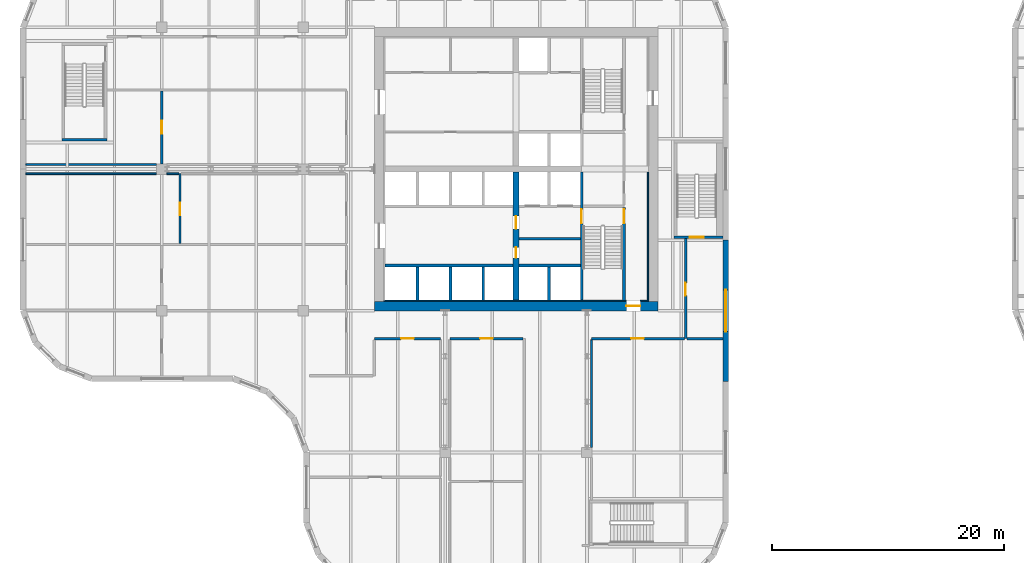
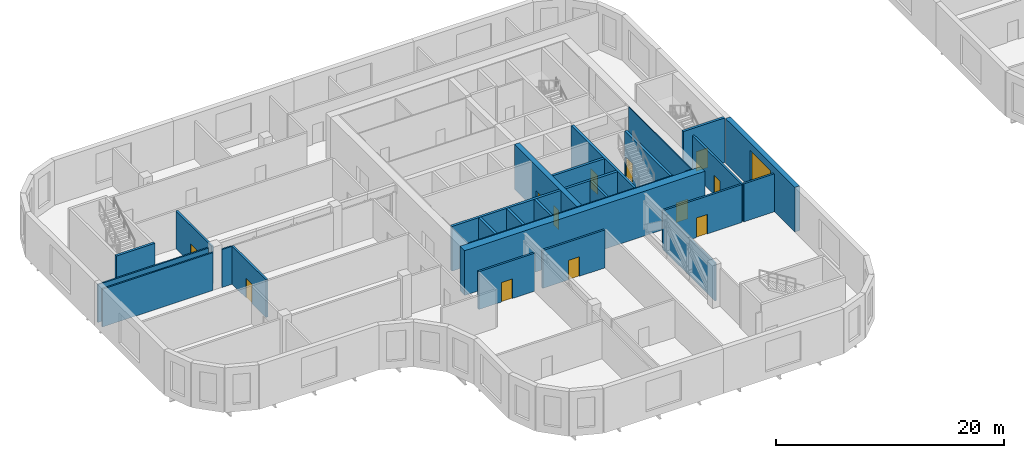
# One storey, part 10 of 21: 28 walls, 12 doors, 1 window, 13 openings.
"""IFC4 building model written with IfcOpenShell, lengths in metres."""

from ifc_helpers import new_model, si_unit, direction, frame, frame_2d, origin, place, context, subcontext, project, spatial, polyline, rectangle, outline, extrude, source, transform, mapped, material, layer, layer_set, type_object, element, fill, save


model = new_model("IFC4")

# Units and contexts
model_context = context("Model", 3, precision=1e-05, world=origin(), true_north=direction((0.0, 1.0)))
body_context = subcontext(model_context, "Body", "Model", "MODEL_VIEW")
ifc_project = project(units=[si_unit("LENGTHUNIT", "METRE"), si_unit("AREAUNIT", "SQUARE_METRE"), si_unit("VOLUMEUNIT", "CUBIC_METRE"), si_unit("PLANEANGLEUNIT", "RADIAN"), si_unit("MASSUNIT", "GRAM", prefix="KILO")], contexts=[model_context])

# Site, building, storey
site_placement = place(None, origin())
site = spatial("IfcSite", under=ifc_project, at=site_placement, CompositionType="ELEMENT")
building_placement = place(site_placement, origin())
building = spatial("IfcBuilding", under=site, at=building_placement, Name="Tessera Gate Towers", CompositionType="ELEMENT")
storey_placement = place(building_placement, frame((0.0, 0.0, 63.800048828125)))
storey = spatial("IfcBuildingStorey", under=building, at=storey_placement, Name="L15", CompositionType="ELEMENT", Elevation=63.800048828125)

# Walls
ifc_material_1 = material(Name="Gypsum board on steel studs, mineral wool", Category="steel")
ifc_layer_1 = layer(ifc_material_1, 0.14990234375)
ifc_layer_set_1 = layer_set([ifc_layer_1], Name="CHASE WALL 150")
wall_type_1 = type_object("IfcWallType", Name="CHASE WALL 150", PredefinedType="PARTITIONING", material=ifc_layer_set_1)
wall_1_placement = place(storey_placement, frame((49.199951171875, 12.65087890625, 0.0), z_axis=(0.0, 0.0, 1.0), x_axis=(0.0, 1.0, 0.0)))
element("IfcWall", 1, at=wall_1_placement, inside=storey, type_object=wall_type_1, Name="T1-L15-PW-012", PredefinedType="PARTITIONING", context=body_context, shape_type="SweptSolid", body=[
    extrude(rectangle(XDim=9.248046875, YDim=0.14990234375, at=frame_2d((4.6240234375, 0.0))), origin(), (0.0, 0.0, 1.0), 4.06689453125),
])
wall_2_placement = place(storey_placement, frame((0.5, 36.199951171875, 0.0), z_axis=(0.0, 0.0, 1.0), x_axis=(1.0, 0.0, 0.0)))
element("IfcWall", 2, at=wall_2_placement, inside=storey, type_object=wall_type_1, Name="T1-L15-PW-030", PredefinedType="PARTITIONING", context=body_context, shape_type="SweptSolid", body=[
    extrude(rectangle(XDim=11.2490234375, YDim=0.14990234375, at=frame_2d((5.62451171875, 0.0))), origin(), (0.0, 0.0, 1.0), 4.06689453125),
])
wall_3_placement = place(storey_placement, frame((12.65087890625, 36.199951171875, 0.0), z_axis=(0.0, 0.0, 1.0), x_axis=(1.0, 0.0, 0.0)))
element("IfcWall", 3, at=wall_3_placement, inside=storey, type_object=wall_type_1, Name="T1-L15-PW-031", PredefinedType="PARTITIONING", context=body_context, shape_type="SweptSolid", body=[
    extrude(rectangle(XDim=1.023193359375, YDim=0.14990234375, at=frame_2d((0.51171875, 0.0))), origin(), (0.0, 0.0, 1.0), 4.06689453125),
])
wall_4_placement = place(storey_placement, frame((0.5, 37.0, 0.0), z_axis=(0.0, 0.0, 1.0), x_axis=(1.0, 0.0, 0.0)))
element("IfcWall", 4, at=wall_4_placement, inside=storey, type_object=wall_type_1, Name="T1-L15-PW-034", PredefinedType="PARTITIONING", context=body_context, shape_type="SweptSolid", body=[
    extrude(rectangle(XDim=11.2490234375, YDim=0.14990234375, at=frame_2d((5.62451171875, 0.0))), origin(), (0.0, 0.0, 1.0), 4.06689453125),
])

# Wall, opening, door
ifc_material_2 = material(Name="Concrete C40/50", Category="concrete")
ifc_layer_2 = layer(ifc_material_2, 0.25)
ifc_layer_set_2 = layer_set([ifc_layer_2], Name="CORE ENCLOSURE WALL 250")
wall_type_2 = type_object("IfcWallType", Name="CORE ENCLOSURE WALL 250", PredefinedType="SOLIDWALL", material=ifc_layer_set_2)
wall_5_placement = place(storey_placement, frame((48.35009765625, 36.35009765625, 0.0), z_axis=(0.0, 0.0, 1.0), x_axis=(0.0, -1.0, 0.0)))
wall_5 = element("IfcWall", 5, at=wall_5_placement, inside=storey, type_object=wall_type_2, Name="L15 shaft and stair enclosure wall", PredefinedType="SOLIDWALL", context=body_context, shape_type="SweptSolid", body=[
    extrude(rectangle(XDim=11.050048828125, YDim=0.25, at=frame_2d((5.52490234375, 0.0))), origin(), (0.0, 0.0, 1.0), 4.800048828125),
])
shared_shape_1 = source(origin(), body_context, "Body", "SweptSolid", [
    extrude(rectangle(XDim=1.199951171875, YDim=2.10009765625, at=frame_2d((0.60009765625, 1.050048828125))), frame((0.0, 0.135009765625, 0.0), z_axis=(0.0, -1.0, 0.0), x_axis=(1.0, 0.0, 0.0)), (0.0, 0.0, 1.0), 0.27001953125),
])
opening_1_placement = place(wall_5_placement, frame((3.22509765625, 0.0, 0.0)))
opening_1 = element("IfcOpeningElement", 6, at=opening_1_placement, cuts=wall_5, Name="Opening SD-ST1-1", PredefinedType="OPENING", context=body_context, shape_type="MappedRepresentation", body=[
    mapped(shared_shape_1, transform((0.0, 0.0, 0.0), scale=1.0)),
])
ifc_material_3 = material(Name="Hollow steel fire door", Category="steel")
door_type_1 = type_object("IfcDoorType", Name="CORE DOOR SD 1200x2100", OperationType="NOTDEFINED", PredefinedType="DOOR", material=ifc_material_3)
shared_shape_2 = source(origin(), body_context, "Body", "SweptSolid", [
    extrude(rectangle(XDim=1.199951171875, YDim=2.10009765625, at=frame_2d((0.60009765625, 1.050048828125))), frame((0.0, 0.02490234375, 0.0), z_axis=(0.0, -1.0, 0.0), x_axis=(1.0, 0.0, 0.0)), (0.0, 0.0, 1.0), 0.050048828125),
])
door_1_placement = place(opening_1_placement, origin())
door_1 = element("IfcDoor", 7, at=door_1_placement, inside=storey, type_object=door_type_1, Name="Stair door", OperationType="SINGLE_SWING_LEFT", OverallHeight=2.10009765625, OverallWidth=1.199951171875, PredefinedType="DOOR", context=body_context, shape_type="MappedRepresentation", body=[
    mapped(shared_shape_2, transform((0.0, 0.0, 0.0), scale=1.0)),
])
fill(opening_1, door_1)

# Walls
wall_6_placement = place(storey_placement, frame((31.39990234375, 28.300048828125, 0.0), z_axis=(0.0, 0.0, 1.0), x_axis=(1.0, 0.0, 0.0)))
element("IfcWall", 8, at=wall_6_placement, inside=storey, type_object=wall_type_2, Name="L15 shaft and stair enclosure wall", PredefinedType="SOLIDWALL", context=body_context, shape_type="SweptSolid", body=[
    extrude(rectangle(XDim=11.050048828125, YDim=0.25, at=frame_2d((5.52490234375, 0.0))), origin(), (0.0, 0.0, 1.0), 4.800048828125),
])
wall_7_placement = place(storey_placement, frame((42.949951171875, 28.300048828125, 0.0), z_axis=(0.0, 0.0, 1.0), x_axis=(1.0, 0.0, 0.0)))
element("IfcWall", 9, at=wall_7_placement, inside=storey, type_object=wall_type_2, Name="L15 shaft and stair enclosure wall", PredefinedType="SOLIDWALL", context=body_context, shape_type="SweptSolid", body=[
    extrude(rectangle(XDim=5.275146484375, YDim=0.25, at=frame_2d((2.6376953125, 0.0))), origin(), (0.0, 0.0, 1.0), 4.800048828125),
])

# Wall, opening, door
wall_8_placement = place(storey_placement, frame((52.0, 25.300048828125, 0.0), z_axis=(0.0, 0.0, 1.0), x_axis=(0.0, 1.0, 0.0)))
wall_8 = element("IfcWall", 10, at=wall_8_placement, inside=storey, type_object=wall_type_2, Name="L15 shaft and stair enclosure wall", PredefinedType="SOLIDWALL", context=body_context, shape_type="SweptSolid", body=[
    extrude(rectangle(XDim=7.974853515625, YDim=0.25, at=frame_2d((3.9873046875, 0.0))), origin(), (0.0, 0.0, 1.0), 4.800048828125),
])
opening_2_placement = place(wall_8_placement, frame((6.625, 0.0, 0.0)))
opening_2 = element("IfcOpeningElement", 11, at=opening_2_placement, cuts=wall_8, Name="Opening SD-ST1-2", PredefinedType="OPENING", context=body_context, shape_type="MappedRepresentation", body=[
    mapped(shared_shape_1, transform((0.0, 0.0, 0.0), scale=1.0)),
])
door_2_placement = place(opening_2_placement, origin())
door_2 = element("IfcDoor", 12, at=door_2_placement, inside=storey, type_object=door_type_1, Name="Stair door", OperationType="SINGLE_SWING_RIGHT", OverallHeight=2.10009765625, OverallWidth=1.199951171875, PredefinedType="DOOR", context=body_context, shape_type="MappedRepresentation", body=[
    mapped(shared_shape_2, transform((0.0, 0.0, 0.0), scale=1.0)),
])
fill(opening_2, door_2)

# Walls
wall_9_placement = place(storey_placement, frame((42.949951171875, 30.60009765625, 0.0), z_axis=(0.0, 0.0, 1.0), x_axis=(1.0, 0.0, 0.0)))
element("IfcWall", 13, at=wall_9_placement, inside=storey, type_object=wall_type_2, Name="L15 shaft and stair enclosure wall", PredefinedType="SOLIDWALL", context=body_context, shape_type="SweptSolid", body=[
    extrude(rectangle(XDim=5.275146484375, YDim=0.25, at=frame_2d((2.6376953125, 0.0))), origin(), (0.0, 0.0, 1.0), 4.800048828125),
])
for number, where, z_axis, x_axis, name in (
    (14, (34.22509765625, 25.300048828125, 0.0), (0.0, 0.0, 1.0), (0.0, 1.0, 0.0), "L15 shaft and stair enclosure wall"),
    (15, (37.050048828125, 25.300048828125, 0.0), (0.0, 0.0, 1.0), (0.0, 1.0, 0.0), "L15 shaft and stair enclosure wall"),
    (16, (39.875, 25.300048828125, 0.0), (0.0, 0.0, 1.0), (0.0, 1.0, 0.0), "L15 shaft and stair enclosure wall"),
    (17, (45.52490234375, 25.300048828125, 0.0), (0.0, 0.0, 1.0), (0.0, 1.0, 0.0), "L15 shaft and stair enclosure wall"),
):
    element("IfcWall", number, at=place(storey_placement, frame(where, z_axis=z_axis, x_axis=x_axis)), inside=storey, type_object=wall_type_2, Name=name, PredefinedType="SOLIDWALL", context=body_context, shape_type="SweptSolid", body=[
        extrude(rectangle(XDim=2.875, YDim=0.25, at=frame_2d((1.4375, 0.0))), origin(), (0.0, 0.0, 1.0), 4.800048828125),
    ])
wall_10_placement = place(storey_placement, frame((7.5, 39.125, 0.0), z_axis=(0.0, 0.0, 1.0), x_axis=(-1.0, 0.0, 0.0)))
element("IfcWall", 18, at=wall_10_placement, inside=storey, type_object=wall_type_2, Name="L15 ST3 enclosure wall", PredefinedType="SOLIDWALL", context=body_context, shape_type="SweptSolid", body=[
    extrude(rectangle(XDim=3.89990234375, YDim=0.25, at=frame_2d((1.949951171875, 0.0))), origin(), (0.0, 0.0, 1.0), 4.800048828125),
])

# Wall, opening, door
wall_11_placement = place(storey_placement, frame((60.5, 30.72509765625, 0.0), z_axis=(0.0, 0.0, 1.0), x_axis=(-1.0, 0.0, 0.0)))
wall_11 = element("IfcWall", 19, at=wall_11_placement, inside=storey, type_object=wall_type_2, Name="L15 ST5 enclosure wall", PredefinedType="SOLIDWALL", context=body_context, shape_type="SweptSolid", body=[
    extrude(rectangle(XDim=4.199951171875, YDim=0.25, at=frame_2d((2.10009765625, 0.0))), origin(), (0.0, 0.0, 1.0), 4.800048828125),
])
opening_3_placement = place(wall_11_placement, frame((1.64990234375, 0.0, 0.0)))
opening_3 = element("IfcOpeningElement", 20, at=opening_3_placement, cuts=wall_11, Name="Opening SD-ST5-1", PredefinedType="OPENING", context=body_context, shape_type="MappedRepresentation", body=[
    mapped(shared_shape_1, transform((0.0, 0.0, 0.0), scale=1.0)),
])
door_3_placement = place(opening_3_placement, origin())
door_3 = element("IfcDoor", 21, at=door_3_placement, inside=storey, type_object=door_type_1, Name="Stair door", OperationType="SINGLE_SWING_RIGHT", OverallHeight=2.10009765625, OverallWidth=1.199951171875, PredefinedType="DOOR", context=body_context, shape_type="MappedRepresentation", body=[
    mapped(shared_shape_2, transform((0.0, 0.0, 0.0), scale=1.0)),
])
fill(opening_3, door_3)

ifc_material_4 = material(Name="Concrete C60/75", Category="concrete")
ifc_layer_3 = layer(ifc_material_4, 0.800048828125)
ifc_layer_set_3 = layer_set([ifc_layer_3], Name="CORE SHEAR WALL 800 C60/75")
wall_type_3 = type_object("IfcWallType", Name="CORE SHEAR WALL 800 C60/75", PredefinedType="SHEAR", material=ifc_layer_set_3)
wall_12_placement = place(storey_placement, frame((54.89990234375, 24.800048828125, 0.0), z_axis=(0.0, 0.0, 1.0), x_axis=(-1.0, 0.0, 0.0)))
wall_12 = element("IfcWall", 22, at=wall_12_placement, inside=storey, type_object=wall_type_3, Name="Core wall S L15", PredefinedType="SHEAR", context=body_context, shape_type="SweptSolid", body=[
    extrude(rectangle(XDim=24.39990234375, YDim=0.800048828125, at=frame_2d((12.199951171875, 0.0))), origin(), (0.0, 0.0, 1.0), 4.800048828125),
])
shared_shape_3 = source(origin(), body_context, "Body", "SweptSolid", [
    extrude(rectangle(XDim=1.199951171875, YDim=2.10009765625, at=frame_2d((0.60009765625, 1.050048828125))), frame((0.0, 0.409912109375, 0.0), z_axis=(0.0, -1.0, 0.0), x_axis=(1.0, 0.0, 0.0)), (0.0, 0.0, 1.0), 0.820068359375),
])
opening_4_placement = place(wall_12_placement, frame((1.5, 0.0, 0.0)))
opening_4 = element("IfcOpeningElement", 23, at=opening_4_placement, cuts=wall_12, Name="Opening ED-T1-11-01", PredefinedType="OPENING", context=body_context, shape_type="MappedRepresentation", body=[
    mapped(shared_shape_3, transform((0.0, 0.0, 0.0), scale=1.0)),
])
ifc_material_5 = material(Name="Hollow steel fire door", Category="steel")
door_type_2 = type_object("IfcDoorType", Name="CORE DOOR ED 1200x2100", OperationType="NOTDEFINED", PredefinedType="DOOR", material=ifc_material_5)
door_4_placement = place(opening_4_placement, origin())
door_4 = element("IfcDoor", 24, at=door_4_placement, inside=storey, type_object=door_type_2, Name="Core exit door", OperationType="SINGLE_SWING_LEFT", OverallHeight=2.10009765625, OverallWidth=1.199951171875, PredefinedType="DOOR", context=body_context, shape_type="MappedRepresentation", body=[
    mapped(shared_shape_2, transform((0.0, 0.0, 0.0), scale=1.0)),
])
fill(opening_4, door_4)

# Wall, openings, doors
ifc_material_6 = material(Name="Concrete C60/75", Category="concrete")
ifc_layer_4 = layer(ifc_material_6, 0.5)
ifc_layer_set_4 = layer_set([ifc_layer_4], Name="CORE SPINE WALL 500 C60/75")
wall_type_4 = type_object("IfcWallType", Name="CORE SPINE WALL 500 C60/75", PredefinedType="SHEAR", material=ifc_layer_set_4)
wall_13_placement = place(storey_placement, frame((42.699951171875, 36.35009765625, 0.0), z_axis=(0.0, 0.0, 1.0), x_axis=(0.0, -1.0, 0.0)))
wall_13 = element("IfcWall", 25, at=wall_13_placement, inside=storey, type_object=wall_type_4, Name="Core wall spine L15", PredefinedType="SHEAR", context=body_context, shape_type="SweptSolid", body=[
    extrude(rectangle(XDim=11.050048828125, YDim=0.5, at=frame_2d((5.52490234375, 0.0))), origin(), (0.0, 0.0, 1.0), 4.800048828125),
])
shared_shape_4 = source(origin(), body_context, "Body", "SweptSolid", [
    extrude(rectangle(XDim=0.89990234375, YDim=2.10009765625, at=frame_2d((0.449951171875, 1.050048828125))), frame((0.0, 0.260009765625, 0.0), z_axis=(0.0, -1.0, 0.0), x_axis=(1.0, 0.0, 0.0)), (0.0, 0.0, 1.0), 0.52001953125),
])
opening_5_placement = place(wall_13_placement, frame((6.5, 0.0, 0.0)))
opening_5 = element("IfcOpeningElement", 26, at=opening_5_placement, cuts=wall_13, Name="Opening RD-T1-11-05", PredefinedType="OPENING", context=body_context, shape_type="MappedRepresentation", body=[
    mapped(shared_shape_4, transform((0.0, 0.0, 0.0), scale=1.0)),
])
shared_shape_5 = source(origin(), body_context, "Body", "SweptSolid", [
    extrude(rectangle(XDim=1.10009765625, YDim=2.10009765625, at=frame_2d((0.550048828125, 1.050048828125))), frame((0.0, 0.260009765625, 0.0), z_axis=(0.0, -1.0, 0.0), x_axis=(1.0, 0.0, 0.0)), (0.0, 0.0, 1.0), 0.52001953125),
])
opening_6_placement = place(wall_13_placement, frame((3.800048828125, 0.0, 0.0)))
opening_6 = element("IfcOpeningElement", 27, at=opening_6_placement, cuts=wall_13, Name="Opening FD-T1-11-06", PredefinedType="OPENING", context=body_context, shape_type="MappedRepresentation", body=[
    mapped(shared_shape_5, transform((0.0, 0.0, 0.0), scale=1.0)),
])
ifc_material_7 = material(Name="Hollow steel fire door", Category="steel")
door_type_3 = type_object("IfcDoorType", Name="CORE DOOR RD 900x2100", OperationType="NOTDEFINED", PredefinedType="DOOR", material=ifc_material_7)
shared_shape_6 = source(origin(), body_context, "Body", "SweptSolid", [
    extrude(rectangle(XDim=0.89990234375, YDim=2.10009765625, at=frame_2d((0.449951171875, 1.050048828125))), frame((0.0, 0.02490234375, 0.0), z_axis=(0.0, -1.0, 0.0), x_axis=(1.0, 0.0, 0.0)), (0.0, 0.0, 1.0), 0.050048828125),
])
door_5_placement = place(opening_5_placement, origin())
door_5 = element("IfcDoor", 28, at=door_5_placement, inside=storey, type_object=door_type_3, Name="Core room door", OperationType="SINGLE_SWING_RIGHT", OverallHeight=2.10009765625, OverallWidth=0.89990234375, PredefinedType="DOOR", context=body_context, shape_type="MappedRepresentation", body=[
    mapped(shared_shape_6, transform((0.0, 0.0, 0.0), scale=1.0)),
])
fill(opening_5, door_5)
ifc_material_8 = material(Name="Hollow steel fire door", Category="steel")
door_type_4 = type_object("IfcDoorType", Name="CORE DOOR FD 1100x2100", OperationType="NOTDEFINED", PredefinedType="DOOR", material=ifc_material_8)
shared_shape_7 = source(origin(), body_context, "Body", "SweptSolid", [
    extrude(rectangle(XDim=1.10009765625, YDim=2.10009765625, at=frame_2d((0.550048828125, 1.050048828125))), frame((0.0, 0.02490234375, 0.0), z_axis=(0.0, -1.0, 0.0), x_axis=(1.0, 0.0, 0.0)), (0.0, 0.0, 1.0), 0.050048828125),
])
door_6_placement = place(opening_6_placement, origin())
door_6 = element("IfcDoor", 29, at=door_6_placement, inside=storey, type_object=door_type_4, Name="Fire-fighting lobby door", OperationType="SINGLE_SWING_LEFT", OverallHeight=2.10009765625, OverallWidth=1.10009765625, PredefinedType="DOOR", context=body_context, shape_type="MappedRepresentation", body=[
    mapped(shared_shape_7, transform((0.0, 0.0, 0.0), scale=1.0)),
])
fill(opening_6, door_6)

# Walls
ifc_material_9 = material(Name="Concrete C60/75", Category="concrete")
ifc_layer_5 = layer(ifc_material_9, 0.10009765625)
ifc_layer_set_5 = layer_set([ifc_layer_5], Name="CORE WALL THICKENING 100")
wall_type_5 = type_object("IfcWallType", Name="CORE WALL THICKENING 100", PredefinedType="SOLIDWALL", material=ifc_layer_set_5)
wall_14_placement = place(storey_placement, frame((31.300048828125, 25.25, 0.0), z_axis=(0.0, 0.0, 1.0), x_axis=(1.0, 0.0, 0.0)))
element("IfcWall", 30, at=wall_14_placement, inside=storey, type_object=wall_type_5, Name="Core wall thickening S L15", PredefinedType="SOLIDWALL", context=body_context, shape_type="SweptSolid", body=[
    extrude(rectangle(XDim=20.89990234375, YDim=0.10009765625, at=frame_2d((10.449951171875, 0.0))), origin(), (0.0, 0.0, 1.0), 4.800048828125),
])
wall_15_placement = place(storey_placement, frame((53.39990234375, 25.25, 0.0), z_axis=(0.0, 0.0, 1.0), x_axis=(1.0, 0.0, 0.0)))
element("IfcWall", 31, at=wall_15_placement, inside=storey, type_object=wall_type_5, Name="Core wall thickening S L15", PredefinedType="SOLIDWALL", context=body_context, shape_type="SweptSolid", body=[
    extrude(rectangle(XDim=0.7001953125, YDim=0.10009765625, at=frame_2d((0.35009765625, 0.0))), origin(), (0.0, 0.0, 1.0), 4.800048828125),
])
wall_16_placement = place(storey_placement, frame((54.050048828125, 25.300048828125, 0.0), z_axis=(0.0, 0.0, 1.0), x_axis=(0.0, 1.0, 0.0)))
element("IfcWall", 32, at=wall_16_placement, inside=storey, type_object=wall_type_5, Name="Core wall thickening E L15", PredefinedType="SOLIDWALL", context=body_context, shape_type="SweptSolid", body=[
    extrude(rectangle(XDim=11.02001953125, YDim=0.10009765625, at=frame_2d((5.510009765625, 0.0))), origin(), (0.0, 0.0, 1.0), 4.800048828125),
])

# Wall, opening, door
ifc_material_10 = material(Name="Concrete masonry unit", Category="masonry")
ifc_layer_6 = layer(ifc_material_10, 0.199951171875)
ifc_layer_set_6 = layer_set([ifc_layer_6], Name="PLANT WALL 200")
wall_type_6 = type_object("IfcWallType", Name="PLANT WALL 200", PredefinedType="PARTITIONING", material=ifc_layer_set_6)
wall_17_placement = place(storey_placement, frame((36.199951171875, 22.0, 0.0), z_axis=(0.0, 0.0, 1.0), x_axis=(-1.0, 0.0, 0.0)))
wall_17 = element("IfcWall", 33, at=wall_17_placement, inside=storey, type_object=wall_type_6, Name="T1-L15-PW-017", PredefinedType="PARTITIONING", context=body_context, shape_type="SweptSolid", body=[
    extrude(rectangle(XDim=5.699951171875, YDim=0.199951171875, at=frame_2d((2.85009765625, 0.0))), origin(), (0.0, 0.0, 1.0), 4.06689453125),
])
shared_shape_8 = source(origin(), body_context, "Body", "SweptSolid", [
    extrude(rectangle(XDim=1.10009765625, YDim=2.10009765625, at=frame_2d((0.550048828125, 1.050048828125))), frame((0.0, 0.10986328125, 0.0), z_axis=(0.0, -1.0, 0.0), x_axis=(1.0, 0.0, 0.0)), (0.0, 0.0, 1.0), 0.219970703125),
])
opening_7_placement = place(wall_17_placement, frame((2.300048828125, 0.0, 0.0)))
opening_7 = element("IfcOpeningElement", 34, at=opening_7_placement, cuts=wall_17, Name="Opening D5110FD90-A30-06", PredefinedType="OPENING", context=body_context, shape_type="MappedRepresentation", body=[
    mapped(shared_shape_8, transform((0.0, 0.0, 0.0), scale=1.0)),
])
ifc_material_11 = material(Name="Timber door leaf in steel frame", Category="steel")
door_type_5 = type_object("IfcDoorType", Name="PLANT DOOR 1100 FD90", OperationType="NOTDEFINED", PredefinedType="DOOR", material=ifc_material_11)
door_7_placement = place(opening_7_placement, origin())
door_7 = element("IfcDoor", 35, at=door_7_placement, inside=storey, type_object=door_type_5, Name="T1-L15-PD-006", OperationType="SINGLE_SWING_RIGHT", OverallHeight=2.10009765625, OverallWidth=1.10009765625, PredefinedType="DOOR", context=body_context, shape_type="MappedRepresentation", body=[
    mapped(shared_shape_7, transform((0.0, 0.0, 0.0), scale=1.0)),
])
fill(opening_7, door_7)

wall_18_placement = place(storey_placement, frame((43.299072265625, 22.0, 0.0), z_axis=(0.0, 0.0, 1.0), x_axis=(-1.0, 0.0, 0.0)))
wall_18 = element("IfcWall", 36, at=wall_18_placement, inside=storey, type_object=wall_type_6, Name="T1-L15-PW-018", PredefinedType="PARTITIONING", context=body_context, shape_type="SweptSolid", body=[
    extrude(rectangle(XDim=6.299072265625, YDim=0.199951171875, at=frame_2d((3.1494140625, 0.0))), origin(), (0.0, 0.0, 1.0), 4.06689453125),
])
opening_8_placement = place(wall_18_placement, frame((2.59912109375, 0.0, 0.0)))
opening_8 = element("IfcOpeningElement", 37, at=opening_8_placement, cuts=wall_18, Name="Opening D5110FD90-A30-12", PredefinedType="OPENING", context=body_context, shape_type="MappedRepresentation", body=[
    mapped(shared_shape_8, transform((0.0, 0.0, 0.0), scale=1.0)),
])
door_8_placement = place(opening_8_placement, origin())
door_8 = element("IfcDoor", 38, at=door_8_placement, inside=storey, type_object=door_type_5, Name="T1-L15-PD-012", OperationType="SINGLE_SWING_RIGHT", OverallHeight=2.10009765625, OverallWidth=1.10009765625, PredefinedType="DOOR", context=body_context, shape_type="MappedRepresentation", body=[
    mapped(shared_shape_7, transform((0.0, 0.0, 0.0), scale=1.0)),
])
fill(opening_8, door_8)

wall_19_placement = place(storey_placement, frame((57.198974609375, 22.0, 0.0), z_axis=(0.0, 0.0, 1.0), x_axis=(-1.0, 0.0, 0.0)))
wall_19 = element("IfcWall", 39, at=wall_19_placement, inside=storey, type_object=wall_type_6, Name="T1-L15-PW-019", PredefinedType="PARTITIONING", context=body_context, shape_type="SweptSolid", body=[
    extrude(rectangle(XDim=7.9990234375, YDim=0.199951171875, at=frame_2d((3.99951171875, 0.0))), origin(), (0.0, 0.0, 1.0), 4.06689453125),
])
opening_9_placement = place(wall_19_placement, frame((3.4990234375, 0.0, 0.0)))
opening_9 = element("IfcOpeningElement", 40, at=opening_9_placement, cuts=wall_19, Name="Opening D5110FD90-A30-16", PredefinedType="OPENING", context=body_context, shape_type="MappedRepresentation", body=[
    mapped(shared_shape_8, transform((0.0, 0.0, 0.0), scale=1.0)),
])
door_9_placement = place(opening_9_placement, origin())
door_9 = element("IfcDoor", 41, at=door_9_placement, inside=storey, type_object=door_type_5, Name="T1-L15-PD-016", OperationType="SINGLE_SWING_RIGHT", OverallHeight=2.10009765625, OverallWidth=1.10009765625, PredefinedType="DOOR", context=body_context, shape_type="MappedRepresentation", body=[
    mapped(shared_shape_7, transform((0.0, 0.0, 0.0), scale=1.0)),
])
fill(opening_9, door_9)

wall_20_placement = place(storey_placement, frame((57.300048828125, 30.60009765625, 0.0), z_axis=(0.0, 0.0, 1.0), x_axis=(0.0, -1.0, 0.0)))
wall_20 = element("IfcWall", 42, at=wall_20_placement, inside=storey, type_object=wall_type_6, Name="T1-L15-PW-020", PredefinedType="PARTITIONING", context=body_context, shape_type="SweptSolid", body=[
    extrude(rectangle(XDim=8.60009765625, YDim=0.199951171875, at=frame_2d((4.300048828125, 0.0))), origin(), (0.0, 0.0, 1.0), 4.06689453125),
])
opening_10_placement = place(wall_20_placement, frame((3.800048828125, 0.0, 0.0)))
opening_10 = element("IfcOpeningElement", 43, at=opening_10_placement, cuts=wall_20, Name="Opening D5110FD90-A30-18", PredefinedType="OPENING", context=body_context, shape_type="MappedRepresentation", body=[
    mapped(shared_shape_8, transform((0.0, 0.0, 0.0), scale=1.0)),
])
door_10_placement = place(opening_10_placement, origin())
door_10 = element("IfcDoor", 44, at=door_10_placement, inside=storey, type_object=door_type_5, Name="T1-L15-PD-018", OperationType="SINGLE_SWING_RIGHT", OverallHeight=2.10009765625, OverallWidth=1.10009765625, PredefinedType="DOOR", context=body_context, shape_type="MappedRepresentation", body=[
    mapped(shared_shape_7, transform((0.0, 0.0, 0.0), scale=1.0)),
])
fill(opening_10, door_10)

# Wall
wall_21_placement = place(storey_placement, frame((57.40087890625, 22.0, 0.0), z_axis=(0.0, 0.0, 1.0), x_axis=(1.0, 0.0, 0.0)))
element("IfcWall", 45, at=wall_21_placement, inside=storey, type_object=wall_type_6, Name="T1-L15-PW-021", PredefinedType="PARTITIONING", context=body_context, shape_type="SweptSolid", body=[
    extrude(rectangle(XDim=3.09912109375, YDim=0.199951171875, at=frame_2d((1.549560546875, 0.0))), origin(), (0.0, 0.0, 1.0), 4.06689453125),
])

# Wall, opening, door
wall_22_placement = place(storey_placement, frame((13.77490234375, 30.200927734375, 0.0), z_axis=(0.0, 0.0, 1.0), x_axis=(0.0, 1.0, 0.0)))
wall_22 = element("IfcWall", 46, at=wall_22_placement, inside=storey, type_object=wall_type_6, Name="T1-L15-PW-028", PredefinedType="PARTITIONING", context=body_context, shape_type="SweptSolid", body=[
    extrude(rectangle(XDim=5.9990234375, YDim=0.199951171875, at=frame_2d((2.99951171875, 0.0))), origin(), (0.0, 0.0, 1.0), 4.06689453125),
])
opening_11_placement = place(wall_22_placement, frame((2.39990234375, 0.0, 0.0)))
opening_11 = element("IfcOpeningElement", 47, at=opening_11_placement, cuts=wall_22, Name="Opening D5110FD90-A30-08", PredefinedType="OPENING", context=body_context, shape_type="MappedRepresentation", body=[
    mapped(shared_shape_8, transform((0.0, 0.0, 0.0), scale=1.0)),
])
door_11_placement = place(opening_11_placement, origin())
door_11 = element("IfcDoor", 48, at=door_11_placement, inside=storey, type_object=door_type_5, Name="T1-L15-PD-008", OperationType="SINGLE_SWING_LEFT", OverallHeight=2.10009765625, OverallWidth=1.10009765625, PredefinedType="DOOR", context=body_context, shape_type="MappedRepresentation", body=[
    mapped(shared_shape_7, transform((0.0, 0.0, 0.0), scale=1.0)),
])
fill(opening_11, door_11)

wall_23_placement = place(storey_placement, frame((12.199951171875, 37.051025390625, 0.0), z_axis=(0.0, 0.0, 1.0), x_axis=(0.0, 1.0, 0.0)))
wall_23 = element("IfcWall", 49, at=wall_23_placement, inside=storey, type_object=wall_type_6, Name="T1-L15-PW-038", PredefinedType="PARTITIONING", context=body_context, shape_type="SweptSolid", body=[
    extrude(rectangle(XDim=6.248046875, YDim=0.199951171875, at=frame_2d((3.1240234375, 0.0))), origin(), (0.0, 0.0, 1.0), 4.06689453125),
])
opening_12_placement = place(wall_23_placement, frame((2.60009765625, 0.0, 0.0)))
opening_12 = element("IfcOpeningElement", 50, at=opening_12_placement, cuts=wall_23, Name="Opening D5110FD90-A30-10", PredefinedType="OPENING", context=body_context, shape_type="MappedRepresentation", body=[
    mapped(shared_shape_8, transform((0.0, 0.0, 0.0), scale=1.0)),
])
door_12_placement = place(opening_12_placement, origin())
door_12 = element("IfcDoor", 51, at=door_12_placement, inside=storey, type_object=door_type_5, Name="T1-L15-PD-010", OperationType="SINGLE_SWING_LEFT", OverallHeight=2.10009765625, OverallWidth=1.10009765625, PredefinedType="DOOR", context=body_context, shape_type="MappedRepresentation", body=[
    mapped(shared_shape_7, transform((0.0, 0.0, 0.0), scale=1.0)),
])
fill(opening_12, door_12)

# Wall, opening, window
ifc_material_12 = material(Name="Precast concrete C60/75 white", Category="concrete")
ifc_layer_7 = layer(ifc_material_12, 0.5)
ifc_layer_set_7 = layer_set([ifc_layer_7], Name="RB1 ring band panel")
wall_type_7 = type_object("IfcWallType", Name="RB1 ring band panel", PredefinedType="SOLIDWALL", material=ifc_layer_set_7)
shared_shape_9 = source(origin(), body_context, "Body", "SweptSolid", [
    extrude(outline(polyline([(0.0, 0.0), (12.199951171875, 0.0), (12.199951171875, 4.800048828125), (0.0, 4.800048828125), (0.0, 0.0)])), frame((0.0, 0.25, 0.0), z_axis=(0.0, -1.0, 0.0), x_axis=(1.0, 0.0, 0.0)), (0.0, 0.0, 1.0), 0.5),
])
wall_24_placement = place(storey_placement, frame((60.75, 18.300048828125, 0.0), z_axis=(0.0, 0.0, 1.0), x_axis=(0.0, 1.0, 0.0)))
wall_24 = element("IfcWall", 52, at=wall_24_placement, inside=storey, type_object=wall_type_7, Name="Ring band panel T1 RB1-0007", PredefinedType="SOLIDWALL", context=body_context, shape_type="MappedRepresentation", body=[
    mapped(shared_shape_9, transform((0.0, 0.0, 0.0), scale=1.0)),
])
shared_shape_10 = source(origin(), body_context, "Body", "SweptSolid", [
    extrude(outline(polyline([(4.300048828125, 0.800048828125), (7.89990234375, 0.800048828125), (7.89990234375, 4.0), (4.300048828125, 4.0), (4.300048828125, 0.800048828125)])), frame((0.0, 0.260009765625, 0.0), z_axis=(0.0, -1.0, 0.0), x_axis=(1.0, 0.0, 0.0)), (0.0, 0.0, 1.0), 0.52001953125),
])
opening_13_placement = place(wall_24_placement, origin())
opening_13 = element("IfcOpeningElement", 53, at=opening_13_placement, cuts=wall_24, Name="Opening T1-WN-LV1-0007", PredefinedType="OPENING", context=body_context, shape_type="MappedRepresentation", body=[
    mapped(shared_shape_10, transform((0.0, 0.0, 0.0), scale=1.0)),
])
ifc_material_13 = material(Name="Aluminium louvre", Category="aluminium")
ifc_layer_8 = layer(ifc_material_13, 0.06005859375)
ifc_layer_set_8 = layer_set([ifc_layer_8], Name="LV1 louvre")
window_type = type_object("IfcWindowType", Name="LV1 louvre", PartitioningType="USERDEFINED", PredefinedType="WINDOW", material=ifc_layer_set_8)
shared_shape_11 = source(origin(), body_context, "Body", "SweptSolid", [
    extrude(outline(polyline([(4.300048828125, 0.800048828125), (7.89990234375, 0.800048828125), (7.89990234375, 4.0), (4.300048828125, 4.0), (4.300048828125, 0.800048828125)])), frame((0.0, 0.030029296875, 0.0), z_axis=(0.0, -1.0, 0.0), x_axis=(1.0, 0.0, 0.0)), (0.0, 0.0, 1.0), 0.06005859375),
])
window_placement = place(opening_13_placement, origin())
window = element("IfcWindow", 54, at=window_placement, inside=storey, type_object=window_type, Name="Louvre T1 WN-LV1-0007", OverallHeight=3.199951171875, OverallWidth=3.599853515625, PartitioningType="USERDEFINED", PredefinedType="WINDOW", context=body_context, shape_type="MappedRepresentation", body=[
    mapped(shared_shape_11, transform((0.0, 0.0, 0.0), scale=1.0)),
])
fill(opening_13, window)

save(model, "model.ifc")
